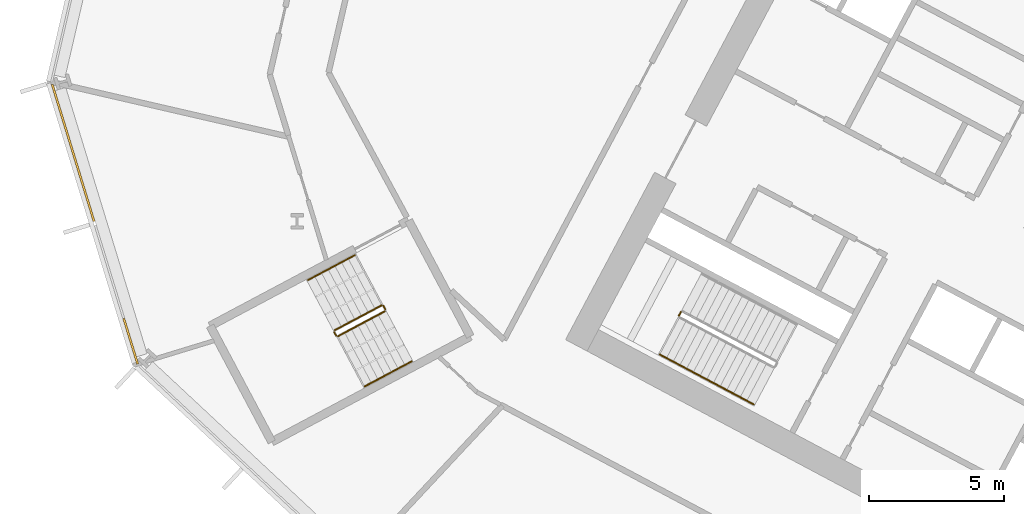
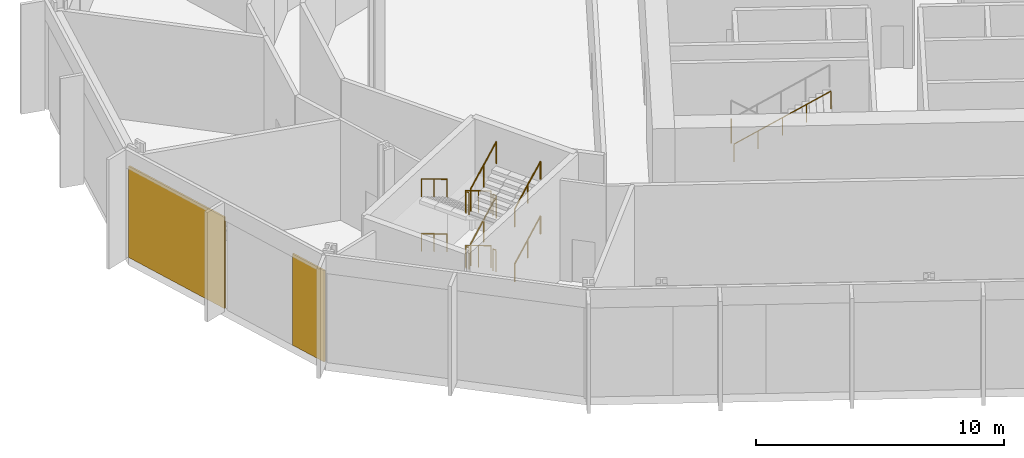
# One storey, part 22 of 31: 14 railings, 2 coverings, 1 element without a shape of its own.
"""IFC4 building model written with IfcOpenShell, lengths in metres."""

from ifc_helpers import new_model, si_unit, direction, frame, origin, origin_2d, place, context, subcontext, project, spatial, polyline, rectangle, outline, extrude, material, layer, layer_set, type_object, element, aggregate, save


model = new_model("IFC4")

# Units and contexts
model_context = context("Model", 3, precision=1e-05, world=origin(), true_north=direction((0.0, 1.0)))
body_context = subcontext(model_context, "Body", "Model", "MODEL_VIEW")
ifc_project = project(units=[si_unit("LENGTHUNIT", "METRE"), si_unit("AREAUNIT", "SQUARE_METRE"), si_unit("VOLUMEUNIT", "CUBIC_METRE"), si_unit("PLANEANGLEUNIT", "RADIAN"), si_unit("MASSUNIT", "GRAM", prefix="KILO")], contexts=[model_context])

# Site, building, storey
site_placement = place(None, origin())
site = spatial("IfcSite", under=ifc_project, at=site_placement, CompositionType="ELEMENT")
building_placement = place(site_placement, origin())
building = spatial("IfcBuilding", under=site, at=building_placement, Name="Cormorant Relay Tower", CompositionType="ELEMENT")
storey_placement = place(building_placement, frame((0.0, 0.0, 12.199951171875)))
storey = spatial("IfcBuildingStorey", under=building, at=storey_placement, Name="L02", CompositionType="ELEMENT", Elevation=12.199951171875)

# Curtain wall, coverings
ifc_material_1 = material(Name="Aluminium 6063-T6 anodised bronze", Category="aluminium")
ifc_layer_1 = layer(ifc_material_1, 0.235107421875)
ifc_layer_set_1 = layer_set([ifc_layer_1], Name="CW6 data hall curtain wall with mineral wool panels")
curtain_wall_type = type_object("IfcCurtainWallType", Name="CW6 data hall curtain wall with mineral wool panels", PredefinedType="NOTDEFINED", material=ifc_layer_set_1)
curtain_wall_placement = place(storey_placement, origin())
curtain_wall = element("IfcCurtainWall", 1, at=curtain_wall_placement, inside=storey, type_object=curtain_wall_type, Name="CW6 curtain wall 12", PredefinedType="NOTDEFINED")
ifc_material_2 = material(Name="Mineral wool cored anodised bronze aluminium cassette panel", Category="aluminium")
ifc_layer_2 = layer(ifc_material_2, 0.074951171875)
ifc_layer_set_2 = layer_set([ifc_layer_2], Name="CW6 mineral wool cassette panel 75")
covering_type = type_object("IfcCoveringType", Name="CW6 mineral wool cassette panel 75", PredefinedType="CLADDING", material=ifc_layer_set_2)
covering_1_placement = place(storey_placement, frame((-59.961181640625, 17.783447265625, 0.0), z_axis=(0.0, 0.0, 1.0), x_axis=(0.292371704723, -0.956304755963, 0.0)))
covering_1 = element("IfcCovering", 2, at=covering_1_placement, type_object=covering_type, Name="CW6 panel S00", PredefinedType="CLADDING", context=body_context, shape_type="SweptSolid", body=[
    extrude(rectangle(XDim=5.28515625, YDim=0.074951171875, at=origin_2d()), origin(), (0.0, 0.0, 1.0), 4.5),
])
covering_2_placement = place(storey_placement, frame((-57.834716796875, 10.82861328125, 0.0), z_axis=(0.0, 0.0, 1.0), x_axis=(0.292371704723, -0.956304755963, 0.0)))
covering_2 = element("IfcCovering", 3, at=covering_2_placement, type_object=covering_type, Name="CW6 panel S02", PredefinedType="CLADDING", context=body_context, shape_type="SweptSolid", body=[
    extrude(rectangle(XDim=1.76025390625, YDim=0.074951171875, at=origin_2d()), origin(), (0.0, 0.0, 1.0), 4.5),
])
aggregate(curtain_wall, [covering_1, covering_2])

# Railings
ifc_material_3 = material(Name="Steel ASTM A572 Grade 50 (Fy 345 MPa)", Category="steel")
railing_type_1 = type_object("IfcRailingType", Name="Stair guard 1100", PredefinedType="GUARDRAIL", material=ifc_material_3)
railing_1_placement = place(storey_placement, frame((-37.52099609375, 11.908935546875, 2.699951171875)))
element("IfcRailing", 4, at=railing_1_placement, inside=storey, type_object=railing_type_1, Name="L02 A2 stair guard 2", PredefinedType="GUARDRAIL", context=body_context, shape_type="SweptSolid", body=[
    extrude(outline(polyline([(0.022216796875, 0.00927734375), (0.00927734375, 0.022216796875), (-0.00927734375, 0.022216796875), (-0.022216796875, 0.00927734375), (-0.022216796875, -0.00927734375), (-0.00927734375, -0.022216796875), (0.00927734375, -0.022216796875), (0.022216796875, -0.00927734375), (0.022216796875, 0.00927734375)])), frame((0.0, 0.0, 1.076171875), z_axis=(-0.469234640946, -0.883073525669, 0.0), x_axis=(0.883073525669, -0.469234640946, 0.0)), (0.0, 0.0, 1.0), 0.14990234375),
    extrude(outline(polyline([(0.019287109375, 0.008056640625), (0.008056640625, 0.019287109375), (-0.008056640625, 0.019287109375), (-0.019287109375, 0.008056640625), (-0.019287109375, -0.008056640625), (-0.008056640625, -0.019287109375), (0.008056640625, -0.019287109375), (0.019287109375, -0.008056640625), (0.019287109375, 0.008056640625)])), origin(), (0.0, 0.0, 1.0), 1.052001953125),
    extrude(outline(polyline([(0.019287109375, 0.008056640625), (0.008056640625, 0.019287109375), (-0.008056640625, 0.019287109375), (-0.019287109375, 0.008056640625), (-0.019287109375, -0.008056640625), (-0.008056640625, -0.019287109375), (0.008056640625, -0.019287109375), (0.019287109375, -0.008056640625), (0.019287109375, 0.008056640625)])), frame((-0.0703125, -0.13232421875, 0.0)), (0.0, 0.0, 1.0), 1.052001953125),
])
railing_2_placement = place(storey_placement, frame((-48.5693359375, 12.155517578125, 0.168701171875)))
element("IfcRailing", 5, at=railing_2_placement, inside=storey, type_object=railing_type_1, Name="L02 RP1 stair guard 1", PredefinedType="GUARDRAIL", context=body_context, shape_type="SweptSolid", body=[
    extrude(outline(polyline([(0.022216796875, 0.00927734375), (0.00927734375, 0.022216796875), (-0.00927734375, 0.022216796875), (-0.022216796875, 0.00927734375), (-0.022216796875, -0.00927734375), (-0.00927734375, -0.022216796875), (0.00927734375, -0.022216796875), (0.022216796875, -0.00927734375), (0.022216796875, 0.00927734375)])), frame((0.0, 0.0, 1.076171875), z_axis=(-0.756226349707, -0.402061942735, 0.516205290765), x_axis=(0.469443581604, -0.882962470149, 0.0)), (0.0, 0.0, 1.0), 2.28857421875),
    extrude(outline(polyline([(0.019287109375, 0.008056640625), (0.008056640625, 0.019287109375), (-0.008056640625, 0.019287109375), (-0.019287109375, 0.008056640625), (-0.019287109375, -0.008056640625), (-0.008056640625, -0.019287109375), (0.008056640625, -0.019287109375), (0.019287109375, -0.008056640625), (0.019287109375, 0.008056640625)])), origin(), (0.0, 0.0, 1.0), 1.052001953125),
    extrude(outline(polyline([(0.019287109375, 0.008056640625), (0.008056640625, 0.019287109375), (-0.008056640625, 0.019287109375), (-0.019287109375, 0.008056640625), (-0.019287109375, -0.008056640625), (-0.008056640625, -0.019287109375), (0.008056640625, -0.019287109375), (0.019287109375, -0.008056640625), (0.019287109375, 0.008056640625)])), frame((-0.865234375, -0.4599609375, 0.5908203125)), (0.0, 0.0, 1.0), 1.052001953125),
    extrude(outline(polyline([(0.019287109375, 0.008056640625), (0.008056640625, 0.019287109375), (-0.008056640625, 0.019287109375), (-0.019287109375, 0.008056640625), (-0.019287109375, -0.008056640625), (-0.008056640625, -0.019287109375), (0.008056640625, -0.019287109375), (0.019287109375, -0.008056640625), (0.019287109375, 0.008056640625)])), frame((-1.730712890625, -0.920166015625, 1.181396484375)), (0.0, 0.0, 1.0), 1.052001953125),
])
railing_3_placement = place(storey_placement, frame((-50.320556640625, 11.167724609375, 1.35009765625)))
element("IfcRailing", 6, at=railing_3_placement, inside=storey, type_object=railing_type_1, Name="L02 RP1 stair guard 2", PredefinedType="GUARDRAIL", context=body_context, shape_type="SweptSolid", body=[
    extrude(outline(polyline([(0.022216796875, 0.00927734375), (0.00927734375, 0.022216796875), (-0.00927734375, 0.022216796875), (-0.022216796875, 0.00927734375), (-0.022216796875, -0.00927734375), (-0.00927734375, -0.022216796875), (0.00927734375, -0.022216796875), (0.022216796875, -0.00927734375), (0.022216796875, 0.00927734375)])), frame((0.0, 0.0, 1.076171875), z_axis=(0.46856034887, -0.8834314911, 0.0), x_axis=(0.8834314911, 0.46856034887, 0.0)), (0.0, 0.0, 1.0), 0.150146484375),
    extrude(outline(polyline([(0.019287109375, 0.008056640625), (0.008056640625, 0.019287109375), (-0.008056640625, 0.019287109375), (-0.019287109375, 0.008056640625), (-0.019287109375, -0.008056640625), (-0.008056640625, -0.019287109375), (0.008056640625, -0.019287109375), (0.019287109375, -0.008056640625), (0.019287109375, 0.008056640625)])), origin(), (0.0, 0.0, 1.0), 1.052001953125),
    extrude(outline(polyline([(0.019287109375, 0.008056640625), (0.008056640625, 0.019287109375), (-0.008056640625, 0.019287109375), (-0.019287109375, 0.008056640625), (-0.019287109375, -0.008056640625), (-0.008056640625, -0.019287109375), (0.008056640625, -0.019287109375), (0.019287109375, -0.008056640625), (0.019287109375, 0.008056640625)])), frame((0.0703125, -0.132568359375, 0.0)), (0.0, 0.0, 1.0), 1.052001953125),
])
railing_4_placement = place(storey_placement, frame((-50.1826171875, 11.014404296875, 1.518798828125)))
element("IfcRailing", 7, at=railing_4_placement, inside=storey, type_object=railing_type_1, Name="L02 RP1 stair guard 3", PredefinedType="GUARDRAIL", context=body_context, shape_type="SweptSolid", body=[
    extrude(outline(polyline([(0.022216796875, 0.00927734375), (0.00927734375, 0.022216796875), (-0.00927734375, 0.022216796875), (-0.022216796875, 0.00927734375), (-0.022216796875, -0.00927734375), (-0.00927734375, -0.022216796875), (0.00927734375, -0.022216796875), (0.022216796875, -0.00927734375), (0.022216796875, 0.00927734375)])), frame((0.0, 0.0, 1.076171875), z_axis=(0.756267991755, 0.402084082512, 0.516127034012), x_axis=(-0.469443581604, 0.882962470149, 0.0)), (0.0, 0.0, 1.0), 2.28857421875),
    extrude(outline(polyline([(0.019287109375, 0.008056640625), (0.008056640625, 0.019287109375), (-0.008056640625, 0.019287109375), (-0.019287109375, 0.008056640625), (-0.019287109375, -0.008056640625), (-0.008056640625, -0.019287109375), (0.008056640625, -0.019287109375), (0.019287109375, -0.008056640625), (0.019287109375, 0.008056640625)])), origin(), (0.0, 0.0, 1.0), 1.052001953125),
    extrude(outline(polyline([(0.019287109375, 0.008056640625), (0.008056640625, 0.019287109375), (-0.008056640625, 0.019287109375), (-0.019287109375, 0.008056640625), (-0.019287109375, -0.008056640625), (-0.008056640625, -0.019287109375), (0.008056640625, -0.019287109375), (0.019287109375, -0.008056640625), (0.019287109375, 0.008056640625)])), frame((0.865234375, 0.4599609375, 0.590576171875)), (0.0, 0.0, 1.0), 1.052001953125),
    extrude(outline(polyline([(0.019287109375, 0.008056640625), (0.008056640625, 0.019287109375), (-0.008056640625, 0.019287109375), (-0.019287109375, 0.008056640625), (-0.019287109375, -0.008056640625), (-0.008056640625, -0.019287109375), (0.008056640625, -0.019287109375), (0.019287109375, -0.008056640625), (0.019287109375, 0.008056640625)])), frame((1.730712890625, 0.920166015625, 1.18115234375)), (0.0, 0.0, 1.0), 1.052001953125),
])
railing_5_placement = place(storey_placement, frame((-48.501708984375, 12.134765625, 2.699951171875)))
element("IfcRailing", 8, at=railing_5_placement, inside=storey, type_object=railing_type_1, Name="L02 RP1 stair guard 4", PredefinedType="GUARDRAIL", context=body_context, shape_type="SweptSolid", body=[
    extrude(outline(polyline([(0.022216796875, 0.00927734375), (0.00927734375, 0.022216796875), (-0.00927734375, 0.022216796875), (-0.022216796875, 0.00927734375), (-0.022216796875, -0.00927734375), (-0.00927734375, -0.022216796875), (0.00927734375, -0.022216796875), (0.022216796875, -0.00927734375), (0.022216796875, 0.00927734375)])), frame((0.0, 0.0, 1.076171875), z_axis=(0.46856034887, -0.8834314911, 0.0), x_axis=(0.8834314911, 0.46856034887, 0.0)), (0.0, 0.0, 1.0), 0.150146484375),
    extrude(outline(polyline([(0.019287109375, 0.008056640625), (0.008056640625, 0.019287109375), (-0.008056640625, 0.019287109375), (-0.019287109375, 0.008056640625), (-0.019287109375, -0.008056640625), (-0.008056640625, -0.019287109375), (0.008056640625, -0.019287109375), (0.019287109375, -0.008056640625), (0.019287109375, 0.008056640625)])), origin(), (0.0, 0.0, 1.0), 1.052001953125),
    extrude(outline(polyline([(0.019287109375, 0.008056640625), (0.008056640625, 0.019287109375), (-0.008056640625, 0.019287109375), (-0.019287109375, 0.008056640625), (-0.019287109375, -0.008056640625), (-0.008056640625, -0.019287109375), (0.008056640625, -0.019287109375), (0.019287109375, -0.008056640625), (0.019287109375, 0.008056640625)])), frame((0.0703125, -0.132568359375, 0.0)), (0.0, 0.0, 1.0), 1.052001953125),
])
railing_6_placement = place(storey_placement, frame((-48.5693359375, 12.155517578125, 2.868896484375)))
element("IfcRailing", 9, at=railing_6_placement, inside=storey, type_object=railing_type_1, Name="L02 RP1 stair guard 5", PredefinedType="GUARDRAIL", context=body_context, shape_type="SweptSolid", body=[
    extrude(outline(polyline([(0.022216796875, 0.00927734375), (0.00927734375, 0.022216796875), (-0.00927734375, 0.022216796875), (-0.022216796875, 0.00927734375), (-0.022216796875, -0.00927734375), (-0.00927734375, -0.022216796875), (0.00927734375, -0.022216796875), (0.022216796875, -0.00927734375), (0.022216796875, 0.00927734375)])), frame((0.0, 0.0, 1.076171875), z_axis=(-0.756267991755, -0.402084082512, 0.516127034012), x_axis=(0.469443581604, -0.882962470149, 0.0)), (0.0, 0.0, 1.0), 2.28857421875),
    extrude(outline(polyline([(0.019287109375, 0.008056640625), (0.008056640625, 0.019287109375), (-0.008056640625, 0.019287109375), (-0.019287109375, 0.008056640625), (-0.019287109375, -0.008056640625), (-0.008056640625, -0.019287109375), (0.008056640625, -0.019287109375), (0.019287109375, -0.008056640625), (0.019287109375, 0.008056640625)])), origin(), (0.0, 0.0, 1.0), 1.052001953125),
    extrude(outline(polyline([(0.019287109375, 0.008056640625), (0.008056640625, 0.019287109375), (-0.008056640625, 0.019287109375), (-0.019287109375, 0.008056640625), (-0.019287109375, -0.008056640625), (-0.008056640625, -0.019287109375), (0.008056640625, -0.019287109375), (0.019287109375, -0.008056640625), (0.019287109375, 0.008056640625)])), frame((-0.865234375, -0.4599609375, 0.590576171875)), (0.0, 0.0, 1.0), 1.052001953125),
    extrude(outline(polyline([(0.019287109375, 0.008056640625), (0.008056640625, 0.019287109375), (-0.008056640625, 0.019287109375), (-0.019287109375, 0.008056640625), (-0.019287109375, -0.008056640625), (-0.008056640625, -0.019287109375), (0.008056640625, -0.019287109375), (0.019287109375, -0.008056640625), (0.019287109375, 0.008056640625)])), frame((-1.730712890625, -0.920166015625, 1.18115234375)), (0.0, 0.0, 1.0), 1.052001953125),
])
railing_7_placement = place(storey_placement, frame((-50.320556640625, 11.167724609375, 4.050048828125)))
element("IfcRailing", 10, at=railing_7_placement, inside=storey, type_object=railing_type_1, Name="L02 RP1 stair guard 6", PredefinedType="GUARDRAIL", context=body_context, shape_type="SweptSolid", body=[
    extrude(outline(polyline([(0.022216796875, 0.00927734375), (0.00927734375, 0.022216796875), (-0.00927734375, 0.022216796875), (-0.022216796875, 0.00927734375), (-0.022216796875, -0.00927734375), (-0.00927734375, -0.022216796875), (0.00927734375, -0.022216796875), (0.022216796875, -0.00927734375), (0.022216796875, 0.00927734375)])), frame((0.0, 0.0, 1.076171875), z_axis=(0.46856034887, -0.8834314911, 0.0), x_axis=(0.8834314911, 0.46856034887, 0.0)), (0.0, 0.0, 1.0), 0.150146484375),
    extrude(outline(polyline([(0.019287109375, 0.008056640625), (0.008056640625, 0.019287109375), (-0.008056640625, 0.019287109375), (-0.019287109375, 0.008056640625), (-0.019287109375, -0.008056640625), (-0.008056640625, -0.019287109375), (0.008056640625, -0.019287109375), (0.019287109375, -0.008056640625), (0.019287109375, 0.008056640625)])), origin(), (0.0, 0.0, 1.0), 1.052001953125),
    extrude(outline(polyline([(0.019287109375, 0.008056640625), (0.008056640625, 0.019287109375), (-0.008056640625, 0.019287109375), (-0.019287109375, 0.008056640625), (-0.019287109375, -0.008056640625), (-0.008056640625, -0.019287109375), (0.008056640625, -0.019287109375), (0.019287109375, -0.008056640625), (0.019287109375, 0.008056640625)])), frame((0.0703125, -0.132568359375, 0.0)), (0.0, 0.0, 1.0), 1.052001953125),
])
railing_8_placement = place(storey_placement, frame((-50.1826171875, 11.014404296875, 4.21875)))
element("IfcRailing", 11, at=railing_8_placement, inside=storey, type_object=railing_type_1, Name="L02 RP1 stair guard 7", PredefinedType="GUARDRAIL", context=body_context, shape_type="SweptSolid", body=[
    extrude(outline(polyline([(0.022216796875, 0.00927734375), (0.00927734375, 0.022216796875), (-0.00927734375, 0.022216796875), (-0.022216796875, 0.00927734375), (-0.022216796875, -0.00927734375), (-0.00927734375, -0.022216796875), (0.00927734375, -0.022216796875), (0.022216796875, -0.00927734375), (0.022216796875, 0.00927734375)])), frame((0.0, 0.0, 1.076171875), z_axis=(0.756226349707, 0.402061942735, 0.516205290765), x_axis=(-0.469443581604, 0.882962470149, 0.0)), (0.0, 0.0, 1.0), 2.28857421875),
    extrude(outline(polyline([(0.019287109375, 0.008056640625), (0.008056640625, 0.019287109375), (-0.008056640625, 0.019287109375), (-0.019287109375, 0.008056640625), (-0.019287109375, -0.008056640625), (-0.008056640625, -0.019287109375), (0.008056640625, -0.019287109375), (0.019287109375, -0.008056640625), (0.019287109375, 0.008056640625)])), origin(), (0.0, 0.0, 1.0), 1.052001953125),
    extrude(outline(polyline([(0.019287109375, 0.008056640625), (0.008056640625, 0.019287109375), (-0.008056640625, 0.019287109375), (-0.019287109375, 0.008056640625), (-0.019287109375, -0.008056640625), (-0.008056640625, -0.019287109375), (0.008056640625, -0.019287109375), (0.019287109375, -0.008056640625), (0.019287109375, 0.008056640625)])), frame((0.865234375, 0.4599609375, 0.5908203125)), (0.0, 0.0, 1.0), 1.052001953125),
    extrude(outline(polyline([(0.019287109375, 0.008056640625), (0.008056640625, 0.019287109375), (-0.008056640625, 0.019287109375), (-0.019287109375, 0.008056640625), (-0.019287109375, -0.008056640625), (-0.008056640625, -0.019287109375), (0.008056640625, -0.019287109375), (0.019287109375, -0.008056640625), (0.019287109375, 0.008056640625)])), frame((1.730712890625, 0.920166015625, 1.181396484375)), (0.0, 0.0, 1.0), 1.052001953125),
])
railing_9_placement = place(storey_placement, frame((-48.501708984375, 12.134765625, 0.0)))
element("IfcRailing", 12, at=railing_9_placement, inside=storey, type_object=railing_type_1, Name="L02 RP1 stair guard 8", PredefinedType="GUARDRAIL", context=body_context, shape_type="SweptSolid", body=[
    extrude(outline(polyline([(0.022216796875, 0.00927734375), (0.00927734375, 0.022216796875), (-0.00927734375, 0.022216796875), (-0.022216796875, 0.00927734375), (-0.022216796875, -0.00927734375), (-0.00927734375, -0.022216796875), (0.00927734375, -0.022216796875), (0.022216796875, -0.00927734375), (0.022216796875, 0.00927734375)])), frame((0.0, 0.0, 1.076171875), z_axis=(0.46856034887, -0.8834314911, 0.0), x_axis=(0.8834314911, 0.46856034887, 0.0)), (0.0, 0.0, 1.0), 0.150146484375),
    extrude(outline(polyline([(0.019287109375, 0.008056640625), (0.008056640625, 0.019287109375), (-0.008056640625, 0.019287109375), (-0.019287109375, 0.008056640625), (-0.019287109375, -0.008056640625), (-0.008056640625, -0.019287109375), (0.008056640625, -0.019287109375), (0.019287109375, -0.008056640625), (0.019287109375, 0.008056640625)])), origin(), (0.0, 0.0, 1.0), 1.052001953125),
    extrude(outline(polyline([(0.019287109375, 0.008056640625), (0.008056640625, 0.019287109375), (-0.008056640625, 0.019287109375), (-0.019287109375, 0.008056640625), (-0.019287109375, -0.008056640625), (-0.008056640625, -0.019287109375), (0.008056640625, -0.019287109375), (0.019287109375, -0.008056640625), (0.019287109375, 0.008056640625)])), frame((0.0703125, -0.132568359375, 0.0)), (0.0, 0.0, 1.0), 1.052001953125),
])
ifc_material_4 = material(Name="Steel ASTM A572 Grade 50 (Fy 345 MPa)", Category="steel")
railing_type_2 = type_object("IfcRailingType", Name="Stair handrail 900", PredefinedType="HANDRAIL", material=ifc_material_4)
railing_10_placement = place(storey_placement, frame((-38.29833984375, 10.34033203125, 2.880126953125)))
element("IfcRailing", 13, at=railing_10_placement, inside=storey, type_object=railing_type_2, Name="L02 A2 stair handrail 2", PredefinedType="HANDRAIL", context=body_context, shape_type="SweptSolid", body=[
    extrude(outline(polyline([(0.022216796875, 0.00927734375), (0.00927734375, 0.022216796875), (-0.00927734375, 0.022216796875), (-0.022216796875, 0.00927734375), (-0.022216796875, -0.00927734375), (-0.00927734375, -0.022216796875), (0.00927734375, -0.022216796875), (0.022216796875, -0.00927734375), (0.022216796875, 0.00927734375)])), frame((0.0, 0.0, 0.8759765625), z_axis=(0.74271721126, -0.394907409077, 0.540758062681), x_axis=(0.469469396681, 0.882948744594, 0.0)), (0.0, 0.0, 1.0), 4.66015625),
    extrude(outline(polyline([(0.019287109375, 0.008056640625), (0.008056640625, 0.019287109375), (-0.008056640625, 0.019287109375), (-0.019287109375, 0.008056640625), (-0.019287109375, -0.008056640625), (-0.008056640625, -0.019287109375), (0.008056640625, -0.019287109375), (0.019287109375, -0.008056640625), (0.019287109375, 0.008056640625)])), origin(), (0.0, 0.0, 1.0), 0.851806640625),
    extrude(outline(polyline([(0.019287109375, 0.008056640625), (0.008056640625, 0.019287109375), (-0.008056640625, 0.019287109375), (-0.019287109375, 0.008056640625), (-0.019287109375, -0.008056640625), (-0.008056640625, -0.019287109375), (0.008056640625, -0.019287109375), (0.019287109375, -0.008056640625), (0.019287109375, 0.008056640625)])), frame((0.865234375, -0.4599609375, 0.6298828125)), (0.0, 0.0, 1.0), 0.851806640625),
    extrude(outline(polyline([(0.019287109375, 0.008056640625), (0.008056640625, 0.019287109375), (-0.008056640625, 0.019287109375), (-0.019287109375, 0.008056640625), (-0.019287109375, -0.008056640625), (-0.008056640625, -0.019287109375), (0.008056640625, -0.019287109375), (0.019287109375, -0.008056640625), (0.019287109375, 0.008056640625)])), frame((1.73046875, -0.920166015625, 1.260009765625)), (0.0, 0.0, 1.0), 0.851806640625),
    extrude(outline(polyline([(0.019287109375, 0.008056640625), (0.008056640625, 0.019287109375), (-0.008056640625, 0.019287109375), (-0.019287109375, 0.008056640625), (-0.019287109375, -0.008056640625), (-0.008056640625, -0.019287109375), (0.008056640625, -0.019287109375), (0.019287109375, -0.008056640625), (0.019287109375, 0.008056640625)])), frame((2.595947265625, -1.38037109375, 1.89013671875)), (0.0, 0.0, 1.0), 0.851806640625),
    extrude(outline(polyline([(0.019287109375, 0.008056640625), (0.008056640625, 0.019287109375), (-0.008056640625, 0.019287109375), (-0.019287109375, 0.008056640625), (-0.019287109375, -0.008056640625), (-0.008056640625, -0.019287109375), (0.008056640625, -0.019287109375), (0.019287109375, -0.008056640625), (0.019287109375, 0.008056640625)])), frame((3.461181640625, -1.84033203125, 2.52001953125)), (0.0, 0.0, 1.0), 0.851806640625),
])
railing_11_placement = place(storey_placement, frame((-49.55517578125, 14.009521484375, 0.168701171875)))
element("IfcRailing", 14, at=railing_11_placement, inside=storey, type_object=railing_type_2, Name="L02 RP1 stair handrail 1", PredefinedType="HANDRAIL", context=body_context, shape_type="SweptSolid", body=[
    extrude(outline(polyline([(0.022216796875, 0.00927734375), (0.00927734375, 0.022216796875), (-0.00927734375, 0.022216796875), (-0.022216796875, 0.00927734375), (-0.022216796875, -0.00927734375), (-0.00927734375, -0.022216796875), (0.00927734375, -0.022216796875), (0.022216796875, -0.00927734375), (0.022216796875, 0.00927734375)])), frame((0.0, 0.0, 0.8759765625), z_axis=(-0.756226349707, -0.402061942735, 0.516205290765), x_axis=(0.469443581604, -0.882962470149, 0.0)), (0.0, 0.0, 1.0), 2.28857421875),
    extrude(outline(polyline([(0.019287109375, 0.008056640625), (0.008056640625, 0.019287109375), (-0.008056640625, 0.019287109375), (-0.019287109375, 0.008056640625), (-0.019287109375, -0.008056640625), (-0.008056640625, -0.019287109375), (0.008056640625, -0.019287109375), (0.019287109375, -0.008056640625), (0.019287109375, 0.008056640625)])), origin(), (0.0, 0.0, 1.0), 0.851806640625),
    extrude(outline(polyline([(0.019287109375, 0.008056640625), (0.008056640625, 0.019287109375), (-0.008056640625, 0.019287109375), (-0.019287109375, 0.008056640625), (-0.019287109375, -0.008056640625), (-0.008056640625, -0.019287109375), (0.008056640625, -0.019287109375), (0.019287109375, -0.008056640625), (0.019287109375, 0.008056640625)])), frame((-0.865234375, -0.4599609375, 0.5908203125)), (0.0, 0.0, 1.0), 0.851806640625),
    extrude(outline(polyline([(0.019287109375, 0.008056640625), (0.008056640625, 0.019287109375), (-0.008056640625, 0.019287109375), (-0.019287109375, 0.008056640625), (-0.019287109375, -0.008056640625), (-0.008056640625, -0.019287109375), (0.008056640625, -0.019287109375), (0.019287109375, -0.008056640625), (0.019287109375, 0.008056640625)])), frame((-1.730712890625, -0.920166015625, 1.181396484375)), (0.0, 0.0, 1.0), 0.851806640625),
])
railing_12_placement = place(storey_placement, frame((-49.19677734375, 9.160400390625, 1.518798828125)))
element("IfcRailing", 15, at=railing_12_placement, inside=storey, type_object=railing_type_2, Name="L02 RP1 stair handrail 2", PredefinedType="HANDRAIL", context=body_context, shape_type="SweptSolid", body=[
    extrude(outline(polyline([(0.022216796875, 0.00927734375), (0.00927734375, 0.022216796875), (-0.00927734375, 0.022216796875), (-0.022216796875, 0.00927734375), (-0.022216796875, -0.00927734375), (-0.00927734375, -0.022216796875), (0.00927734375, -0.022216796875), (0.022216796875, -0.00927734375), (0.022216796875, 0.00927734375)])), frame((0.0, 0.0, 0.8759765625), z_axis=(0.756267991755, 0.402084082512, 0.516127034012), x_axis=(-0.469443581604, 0.882962470149, 0.0)), (0.0, 0.0, 1.0), 2.28857421875),
    extrude(outline(polyline([(0.019287109375, 0.008056640625), (0.008056640625, 0.019287109375), (-0.008056640625, 0.019287109375), (-0.019287109375, 0.008056640625), (-0.019287109375, -0.008056640625), (-0.008056640625, -0.019287109375), (0.008056640625, -0.019287109375), (0.019287109375, -0.008056640625), (0.019287109375, 0.008056640625)])), origin(), (0.0, 0.0, 1.0), 0.851806640625),
    extrude(outline(polyline([(0.019287109375, 0.008056640625), (0.008056640625, 0.019287109375), (-0.008056640625, 0.019287109375), (-0.019287109375, 0.008056640625), (-0.019287109375, -0.008056640625), (-0.008056640625, -0.019287109375), (0.008056640625, -0.019287109375), (0.019287109375, -0.008056640625), (0.019287109375, 0.008056640625)])), frame((0.865234375, 0.4599609375, 0.590576171875)), (0.0, 0.0, 1.0), 0.851806640625),
    extrude(outline(polyline([(0.019287109375, 0.008056640625), (0.008056640625, 0.019287109375), (-0.008056640625, 0.019287109375), (-0.019287109375, 0.008056640625), (-0.019287109375, -0.008056640625), (-0.008056640625, -0.019287109375), (0.008056640625, -0.019287109375), (0.019287109375, -0.008056640625), (0.019287109375, 0.008056640625)])), frame((1.730712890625, 0.920166015625, 1.18115234375)), (0.0, 0.0, 1.0), 0.851806640625),
])
railing_13_placement = place(storey_placement, frame((-49.55517578125, 14.009521484375, 2.868896484375)))
element("IfcRailing", 16, at=railing_13_placement, inside=storey, type_object=railing_type_2, Name="L02 RP1 stair handrail 3", PredefinedType="HANDRAIL", context=body_context, shape_type="SweptSolid", body=[
    extrude(outline(polyline([(0.022216796875, 0.00927734375), (0.00927734375, 0.022216796875), (-0.00927734375, 0.022216796875), (-0.022216796875, 0.00927734375), (-0.022216796875, -0.00927734375), (-0.00927734375, -0.022216796875), (0.00927734375, -0.022216796875), (0.022216796875, -0.00927734375), (0.022216796875, 0.00927734375)])), frame((0.0, 0.0, 0.8759765625), z_axis=(-0.756267991755, -0.402084082512, 0.516127034012), x_axis=(0.469443581604, -0.882962470149, 0.0)), (0.0, 0.0, 1.0), 2.28857421875),
    extrude(outline(polyline([(0.019287109375, 0.008056640625), (0.008056640625, 0.019287109375), (-0.008056640625, 0.019287109375), (-0.019287109375, 0.008056640625), (-0.019287109375, -0.008056640625), (-0.008056640625, -0.019287109375), (0.008056640625, -0.019287109375), (0.019287109375, -0.008056640625), (0.019287109375, 0.008056640625)])), origin(), (0.0, 0.0, 1.0), 0.851806640625),
    extrude(outline(polyline([(0.019287109375, 0.008056640625), (0.008056640625, 0.019287109375), (-0.008056640625, 0.019287109375), (-0.019287109375, 0.008056640625), (-0.019287109375, -0.008056640625), (-0.008056640625, -0.019287109375), (0.008056640625, -0.019287109375), (0.019287109375, -0.008056640625), (0.019287109375, 0.008056640625)])), frame((-0.865234375, -0.4599609375, 0.590576171875)), (0.0, 0.0, 1.0), 0.851806640625),
    extrude(outline(polyline([(0.019287109375, 0.008056640625), (0.008056640625, 0.019287109375), (-0.008056640625, 0.019287109375), (-0.019287109375, 0.008056640625), (-0.019287109375, -0.008056640625), (-0.008056640625, -0.019287109375), (0.008056640625, -0.019287109375), (0.019287109375, -0.008056640625), (0.019287109375, 0.008056640625)])), frame((-1.730712890625, -0.920166015625, 1.18115234375)), (0.0, 0.0, 1.0), 0.851806640625),
])
railing_14_placement = place(storey_placement, frame((-49.19677734375, 9.160400390625, 4.21875)))
element("IfcRailing", 17, at=railing_14_placement, inside=storey, type_object=railing_type_2, Name="L02 RP1 stair handrail 4", PredefinedType="HANDRAIL", context=body_context, shape_type="SweptSolid", body=[
    extrude(outline(polyline([(0.022216796875, 0.00927734375), (0.00927734375, 0.022216796875), (-0.00927734375, 0.022216796875), (-0.022216796875, 0.00927734375), (-0.022216796875, -0.00927734375), (-0.00927734375, -0.022216796875), (0.00927734375, -0.022216796875), (0.022216796875, -0.00927734375), (0.022216796875, 0.00927734375)])), frame((0.0, 0.0, 0.8759765625), z_axis=(0.756226349707, 0.402061942735, 0.516205290765), x_axis=(-0.469443581604, 0.882962470149, 0.0)), (0.0, 0.0, 1.0), 2.28857421875),
    extrude(outline(polyline([(0.019287109375, 0.008056640625), (0.008056640625, 0.019287109375), (-0.008056640625, 0.019287109375), (-0.019287109375, 0.008056640625), (-0.019287109375, -0.008056640625), (-0.008056640625, -0.019287109375), (0.008056640625, -0.019287109375), (0.019287109375, -0.008056640625), (0.019287109375, 0.008056640625)])), origin(), (0.0, 0.0, 1.0), 0.851806640625),
    extrude(outline(polyline([(0.019287109375, 0.008056640625), (0.008056640625, 0.019287109375), (-0.008056640625, 0.019287109375), (-0.019287109375, 0.008056640625), (-0.019287109375, -0.008056640625), (-0.008056640625, -0.019287109375), (0.008056640625, -0.019287109375), (0.019287109375, -0.008056640625), (0.019287109375, 0.008056640625)])), frame((0.865234375, 0.4599609375, 0.5908203125)), (0.0, 0.0, 1.0), 0.851806640625),
    extrude(outline(polyline([(0.019287109375, 0.008056640625), (0.008056640625, 0.019287109375), (-0.008056640625, 0.019287109375), (-0.019287109375, 0.008056640625), (-0.019287109375, -0.008056640625), (-0.008056640625, -0.019287109375), (0.008056640625, -0.019287109375), (0.019287109375, -0.008056640625), (0.019287109375, 0.008056640625)])), frame((1.730712890625, 0.920166015625, 1.181396484375)), (0.0, 0.0, 1.0), 0.851806640625),
])

save(model, "model.ifc")
